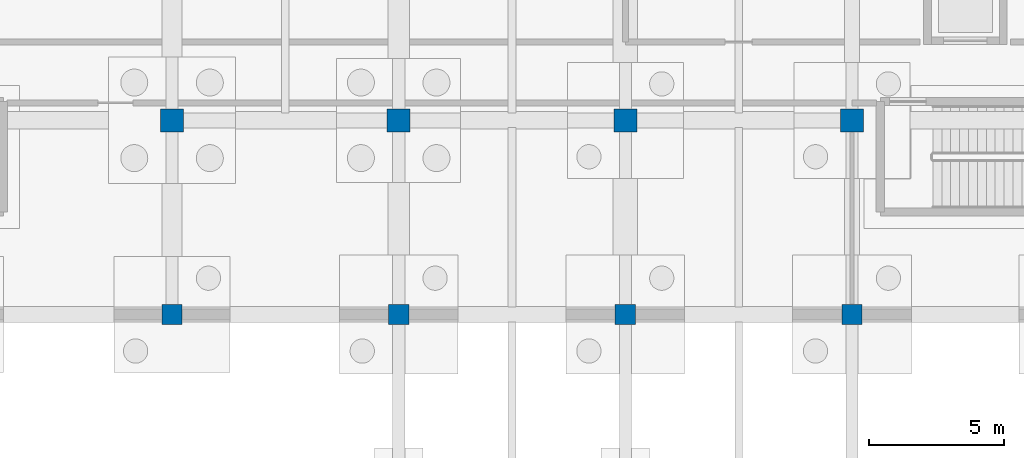
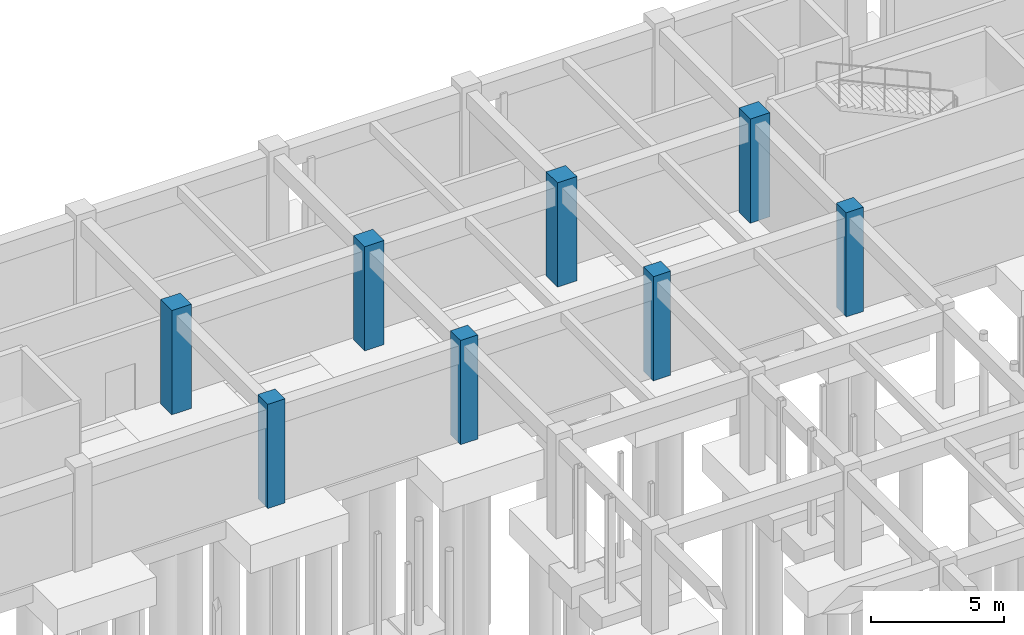
# One storey, part 40 of 80: 8 columns.
"""IFC4 building model written with IfcOpenShell, lengths in metres."""

from ifc_helpers import new_model, si_unit, direction, frame, origin, origin_2d, place, context, subcontext, project, spatial, rectangle, extrude, material, material_profile, profile_set, type_object, element, save


model = new_model("IFC4")

# Units and contexts
model_context = context("Model", 3, precision=1e-05, world=origin(), true_north=direction((0.0, 1.0)))
body_context = subcontext(model_context, "Body", "Model", "MODEL_VIEW")
ifc_project = project(units=[si_unit("LENGTHUNIT", "METRE"), si_unit("AREAUNIT", "SQUARE_METRE"), si_unit("VOLUMEUNIT", "CUBIC_METRE"), si_unit("PLANEANGLEUNIT", "RADIAN"), si_unit("MASSUNIT", "GRAM", prefix="KILO")], contexts=[model_context])

# Site, building, storey
site_placement = place(None, origin())
site = spatial("IfcSite", under=ifc_project, at=site_placement, CompositionType="ELEMENT")
building_placement = place(site_placement, origin())
building = spatial("IfcBuilding", under=site, at=building_placement, Name="Malvenik Polytechnic", CompositionType="ELEMENT")
storey_placement = place(building_placement, frame((0.0, 0.0, -4.800048828125)))
storey = spatial("IfcBuildingStorey", under=building, at=storey_placement, Name="B1", CompositionType="ELEMENT", Elevation=-4.800048828125)

# Columns
ifc_material = material(Name="Concrete C40/50", Category="concrete")
ifc_material_profile_1 = material_profile(ifc_material, rectangle(XDim=0.85009765625, YDim=0.85009765625, at=origin_2d()), Name="RC COL 850x850")
ifc_profile_set_1 = profile_set([ifc_material_profile_1], Name="Concrete C40/50")
column_type_1 = type_object("IfcColumnType", Name="STR-COL-C-01", PredefinedType="COLUMN", material=ifc_profile_set_1)
for number, where, z_axis, x_axis, name in (
    (1, (67.199951171875, 122.39990234375, 0.0), (0.0, 0.0, 1.0), (1.0, 0.0, 0.0), "Column C-01 B1 (67.2,122.4)"),
    (2, (75.60009765625, 122.39990234375, 0.0), (0.0, 0.0, 1.0), (1.0, 0.0, 0.0), "Column C-01 B1 (75.6,122.4)"),
    (3, (84.0, 122.39990234375, 0.0), (0.0, 0.0, 1.0), (1.0, 0.0, 0.0), "Column C-01 B1 (84.0,122.4)"),
    (4, (92.39990234375, 122.39990234375, 0.0), (0.0, 0.0, 1.0), (1.0, 0.0, 0.0), "Column C-01 B1 (92.4,122.4)"),
):
    element("IfcColumn", number, at=place(storey_placement, frame(where, z_axis=z_axis, x_axis=x_axis)), inside=storey, type_object=column_type_1, Name=name, PredefinedType="COLUMN", context=body_context, shape_type="SweptSolid", body=[
        extrude(rectangle(XDim=0.85009765625, YDim=0.85009765625, at=origin_2d()), origin(), (0.0, 0.0, 1.0), 4.800048828125),
    ])
ifc_material_profile_2 = material_profile(ifc_material, rectangle(XDim=0.75, YDim=0.75, at=origin_2d()), Name="RC COL 750x750")
ifc_profile_set_2 = profile_set([ifc_material_profile_2], Name="Concrete C40/50")
column_type_2 = type_object("IfcColumnType", Name="STR-COL-C-03", PredefinedType="COLUMN", material=ifc_profile_set_2)
for number, where, z_axis, x_axis, name in (
    (5, (67.199951171875, 115.199951171875, 0.0), (0.0, 0.0, 1.0), (1.0, 0.0, 0.0), "Column C-03 B1 (67.2,115.2)"),
    (6, (75.60009765625, 115.199951171875, 0.0), (0.0, 0.0, 1.0), (1.0, 0.0, 0.0), "Column C-03 B1 (75.6,115.2)"),
    (7, (84.0, 115.199951171875, 0.0), (0.0, 0.0, 1.0), (1.0, 0.0, 0.0), "Column C-03 B1 (84.0,115.2)"),
    (8, (92.39990234375, 115.199951171875, 0.0), (0.0, 0.0, 1.0), (1.0, 0.0, 0.0), "Column C-03 B1 (92.4,115.2)"),
):
    element("IfcColumn", number, at=place(storey_placement, frame(where, z_axis=z_axis, x_axis=x_axis)), inside=storey, type_object=column_type_2, Name=name, PredefinedType="COLUMN", context=body_context, shape_type="SweptSolid", body=[
        extrude(rectangle(XDim=0.75, YDim=0.75, at=origin_2d()), origin(), (0.0, 0.0, 1.0), 4.800048828125),
    ])

save(model, "model.ifc")
